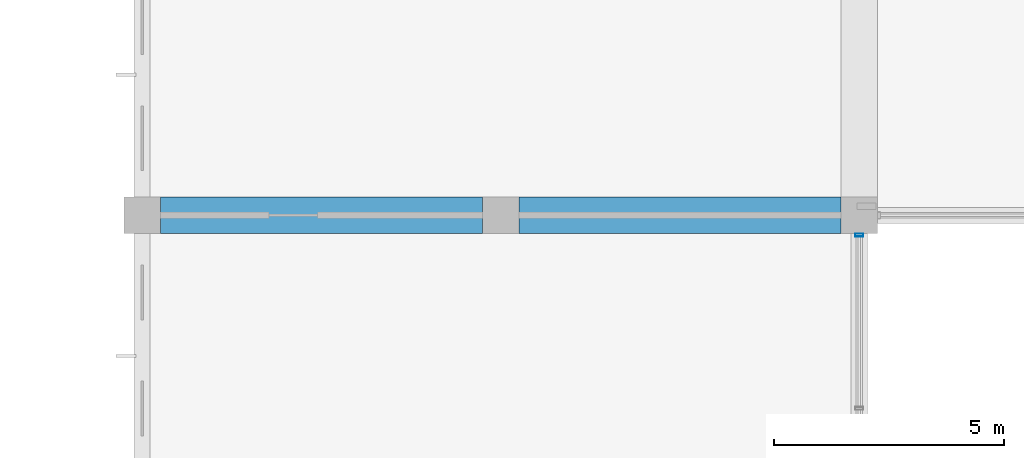
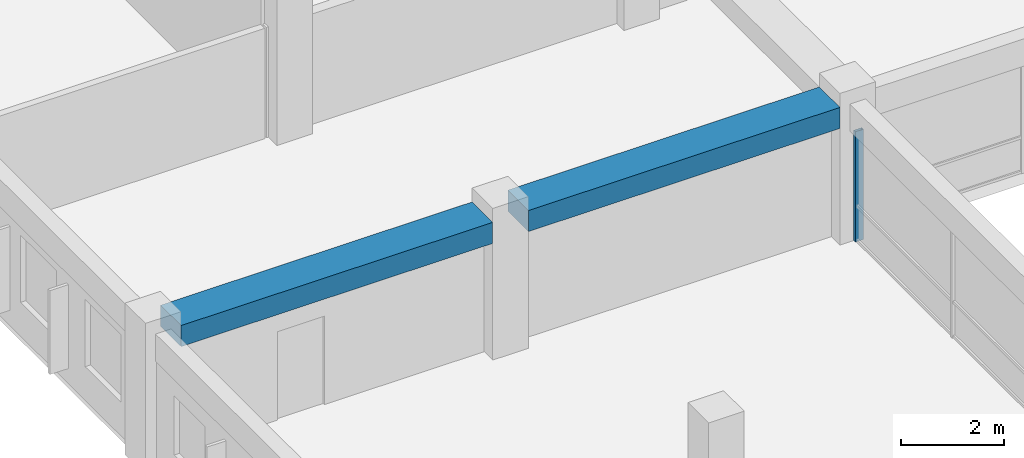
# One storey, part 10 of 50: 2 beams, 1 member, 1 element without a shape of its own.
"""IFC4 building model written with IfcOpenShell, lengths in metres."""

from ifc_helpers import new_model, si_unit, direction, frame, origin, origin_2d, place, context, subcontext, project, spatial, rectangle, hollow_rectangle, extrude, material, material_profile, profile_set, type_object, element, aggregate, save


model = new_model("IFC4")

# Units and contexts
model_context = context("Model", 3, precision=1e-05, world=origin(), true_north=direction((0.0, 1.0)))
body_context = subcontext(model_context, "Body", "Model", "MODEL_VIEW")
ifc_project = project(units=[si_unit("LENGTHUNIT", "METRE"), si_unit("AREAUNIT", "SQUARE_METRE"), si_unit("VOLUMEUNIT", "CUBIC_METRE"), si_unit("PLANEANGLEUNIT", "RADIAN"), si_unit("MASSUNIT", "GRAM", prefix="KILO"), si_unit("THERMODYNAMICTEMPERATUREUNIT", "KELVIN"), si_unit("POWERUNIT", "WATT")], contexts=[model_context])

# Site, building, storey
site_placement = place(None, origin())
site = spatial("IfcSite", under=ifc_project, at=site_placement, CompositionType="ELEMENT")
building_placement = place(site_placement, origin())
building = spatial("IfcBuilding", under=site, at=building_placement, Name="Srebrne Nadtorze General Hospital", CompositionType="ELEMENT")
storey_placement = place(building_placement, frame((0.0, 0.0, 14.39990234375)))
storey = spatial("IfcBuildingStorey", under=building, at=storey_placement, Name="L03", CompositionType="ELEMENT", Elevation=14.39990234375)

# Curtain wall, member
ifc_material_1 = material(Name="Anodised Aluminium", Category="aluminium")
curtain_wall_type = type_object("IfcCurtainWallType", Name="Unitised curtain wall 7600x2620", PredefinedType="NOTDEFINED", material=ifc_material_1)
curtain_wall_placement = place(storey_placement, origin())
curtain_wall = element("IfcCurtainWall", 1, at=curtain_wall_placement, inside=storey, type_object=curtain_wall_type, Name="Curtain wall CW-099", PredefinedType="NOTDEFINED")
ifc_material_2 = material(Name="Anodised Aluminium", Category="aluminium")
ifc_material_profile_1 = material_profile(ifc_material_2, hollow_rectangle(XDim=0.06494140625, YDim=0.179931640625, WallThickness=0.00390625, at=origin_2d()), Name="AL-MUL-65x180")
ifc_profile_set_1 = profile_set([ifc_material_profile_1], Name="Anodised Aluminium")
member_type = type_object("IfcMemberType", Name="Curtain mullion 65x180", PredefinedType="MULLION", material=ifc_profile_set_1)
member_placement = place(storey_placement, frame((117.0, 24.767578125, 0.0), z_axis=(0.0, 0.0, 1.0), x_axis=(0.0, 1.0, 0.0)))
member = element("IfcMember", 2, at=member_placement, type_object=member_type, Name="CW-099 mullion 3", PredefinedType="MULLION", context=body_context, shape_type="SweptSolid", body=[
    extrude(hollow_rectangle(XDim=0.06494140625, YDim=0.179931640625, WallThickness=0.00390625, at=origin_2d()), origin(), (0.0, 0.0, 1.0), 2.6201171875),
])
aggregate(curtain_wall, [member])

# Beams
ifc_material_3 = material(Name="Concrete C40/50", Category="concrete")
ifc_material_profile_2 = material_profile(ifc_material_3, rectangle(XDim=0.800048828125, YDim=0.5, at=origin_2d()), Name="RC-BM-800x500")
ifc_profile_set_2 = profile_set([ifc_material_profile_2], Name="Concrete C40/50")
beam_type = type_object("IfcBeamType", Name="Primary beam RC 800x500", PredefinedType="BEAM", material=ifc_profile_set_2)
for number, where, z_axis, x_axis, name in (
    (3, (101.800048828125, 25.199951171875, 3.02001953125), (1.0, 0.0, 0.0), (0.0, 1.0, 0.0), "Beam BM-L03-X-0735"),
    (4, (109.60009765625, 25.199951171875, 3.02001953125), (1.0, 0.0, 0.0), (0.0, 1.0, 0.0), "Beam BM-L03-X-0736"),
):
    element("IfcBeam", number, at=place(storey_placement, frame(where, z_axis=z_axis, x_axis=x_axis)), inside=storey, type_object=beam_type, Name=name, PredefinedType="BEAM", context=body_context, shape_type="SweptSolid", body=[
        extrude(rectangle(XDim=0.800048828125, YDim=0.5, at=origin_2d()), origin(), (0.0, 0.0, 1.0), 7.0),
    ])

save(model, "model.ifc")
